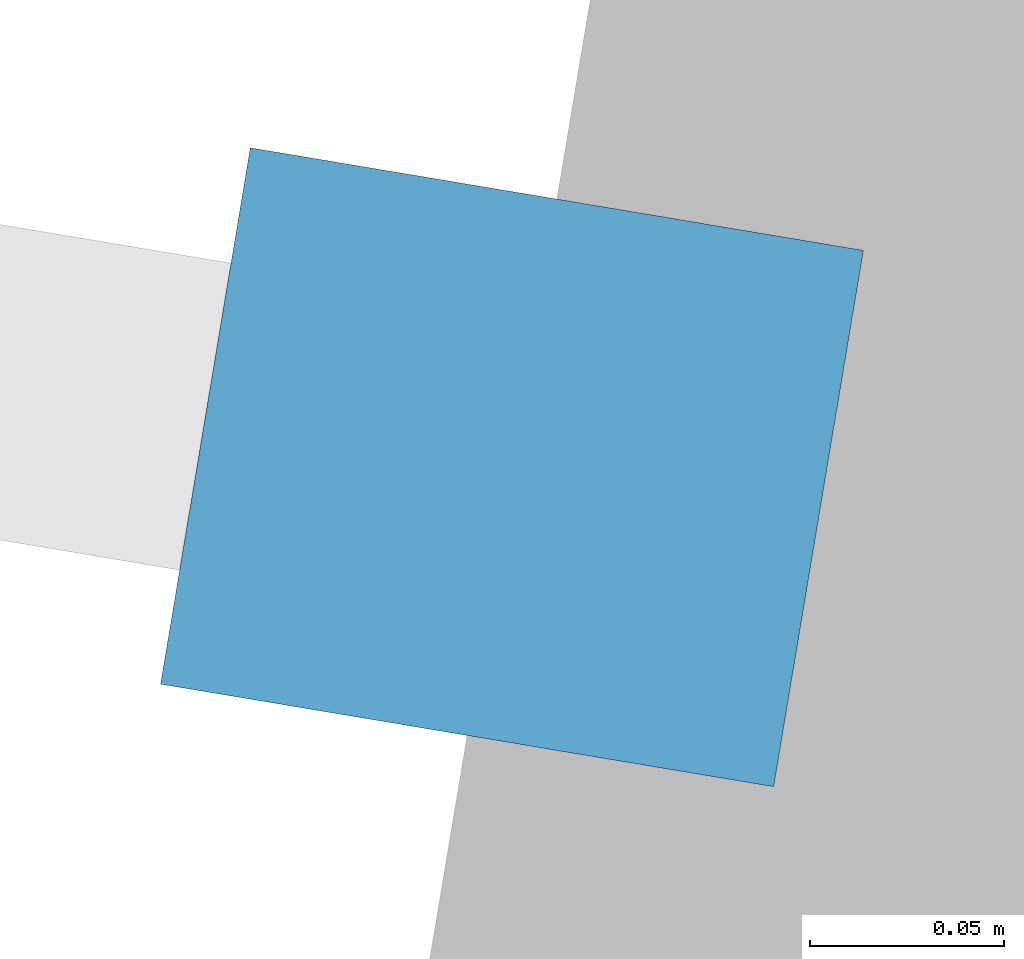
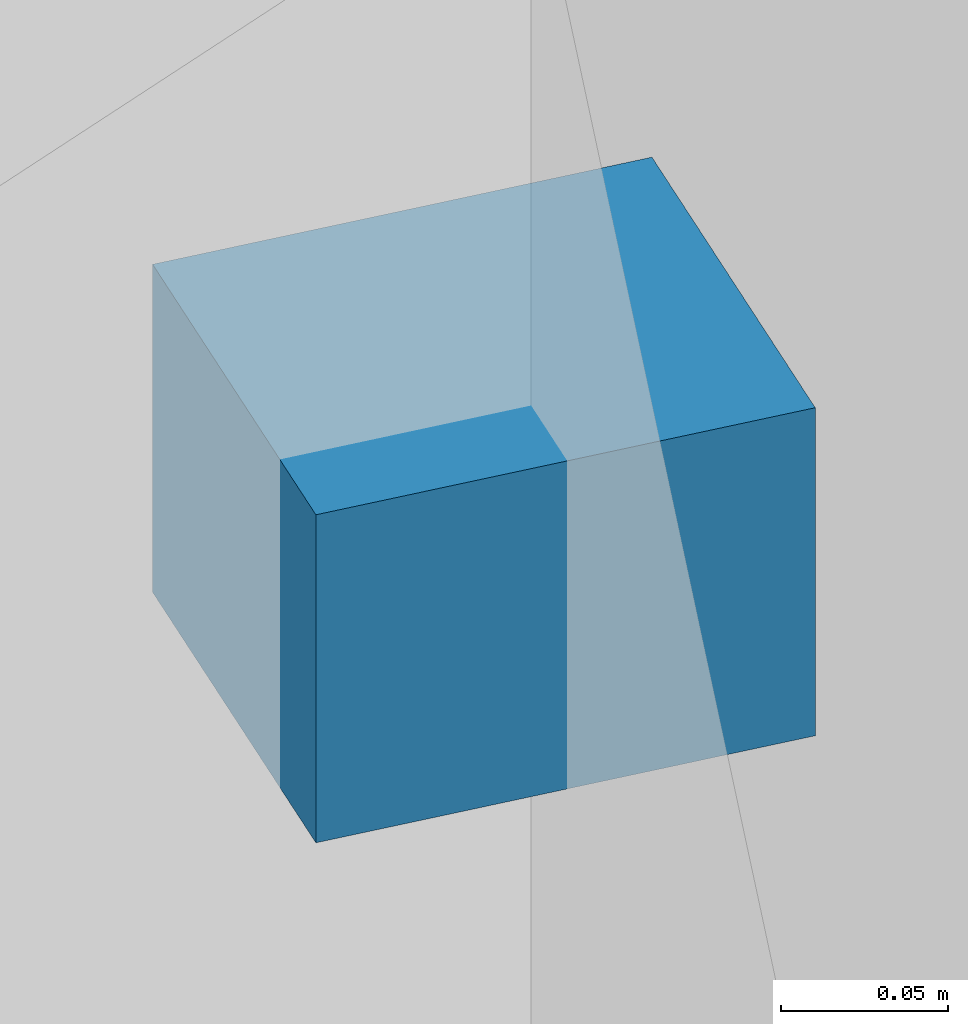
# One storey, part 95 of 102: 1 discrete accessory.
"""IFC4 building model written with IfcOpenShell, lengths in metres."""

from ifc_helpers import new_model, si_unit, direction, frame, origin, origin_2d, place, context, subcontext, project, spatial, rectangle, extrude, material, type_object, element, save


model = new_model("IFC4")

# Units and contexts
model_context = context("Model", 3, precision=1e-05, world=origin(), true_north=direction((0.0, 1.0)))
body_context = subcontext(model_context, "Body", "Model", "MODEL_VIEW")
ifc_project = project(units=[si_unit("LENGTHUNIT", "METRE"), si_unit("AREAUNIT", "SQUARE_METRE"), si_unit("VOLUMEUNIT", "CUBIC_METRE"), si_unit("PLANEANGLEUNIT", "RADIAN"), si_unit("MASSUNIT", "GRAM", prefix="KILO")], contexts=[model_context])

# Site, building, storey
site_placement = place(None, origin())
site = spatial("IfcSite", under=ifc_project, at=site_placement, CompositionType="ELEMENT")
building_placement = place(site_placement, origin())
building = spatial("IfcBuilding", under=site, at=building_placement, Name="Vireo Bluff Cable Station", CompositionType="ELEMENT")
storey_placement = place(building_placement, frame((0.0, 0.0, 9.60009765625)))
storey = spatial("IfcBuildingStorey", under=building, at=storey_placement, Name="L02", CompositionType="ELEMENT", Elevation=9.60009765625)

# Discrete accessory
ifc_material = material(Name="Stainless Steel 316", Category="steel")
discrete_accessory_type = type_object("IfcDiscreteAccessoryType", Name="FACADE-BRACKET-01", PredefinedType="BRACKET", material=ifc_material)
discrete_accessory_placement = place(storey_placement, frame((7.01806640625, 81.6015625, 1.789794921875), z_axis=(0.0, 0.0, 1.0), x_axis=(0.165047529706, 0.986285614281, 0.0)))
element("IfcDiscreteAccessory", 1, at=discrete_accessory_placement, inside=storey, type_object=discrete_accessory_type, Name="V4 L02 solar fin bracket 29", PredefinedType="BRACKET", context=body_context, shape_type="SweptSolid", body=[
    extrude(rectangle(XDim=0.139892578125, YDim=0.159912109375, at=origin_2d()), origin(), (0.0, 0.0, 1.0), 0.1201171875),
])

save(model, "model.ifc")
